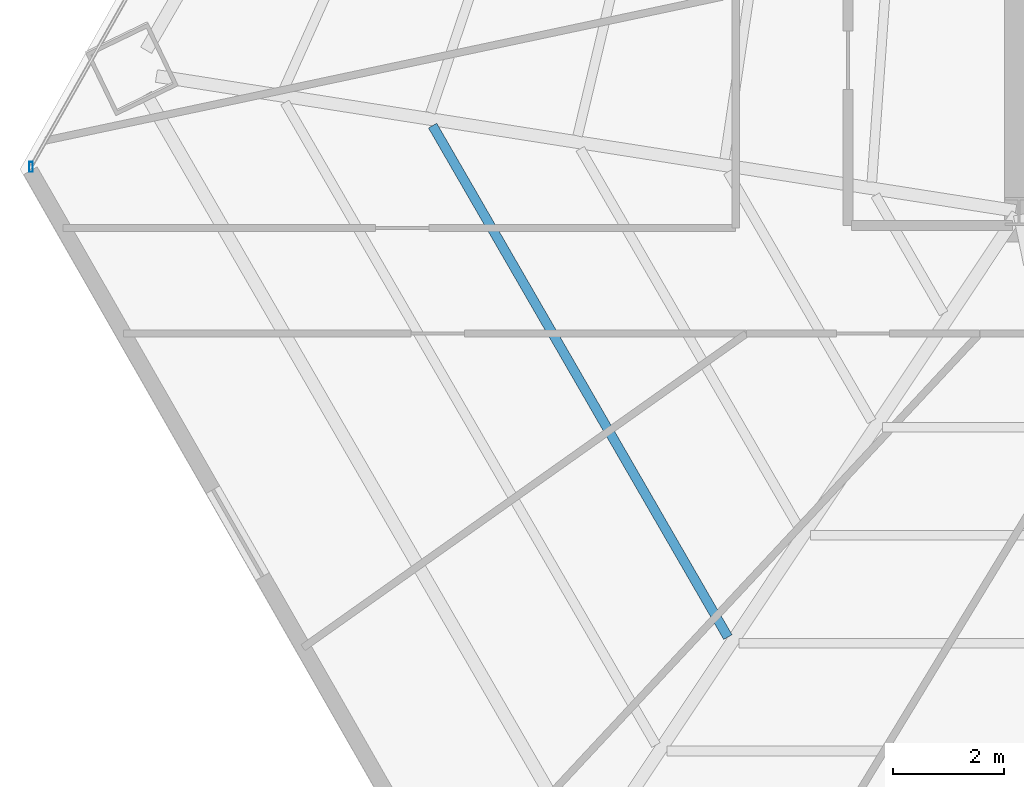
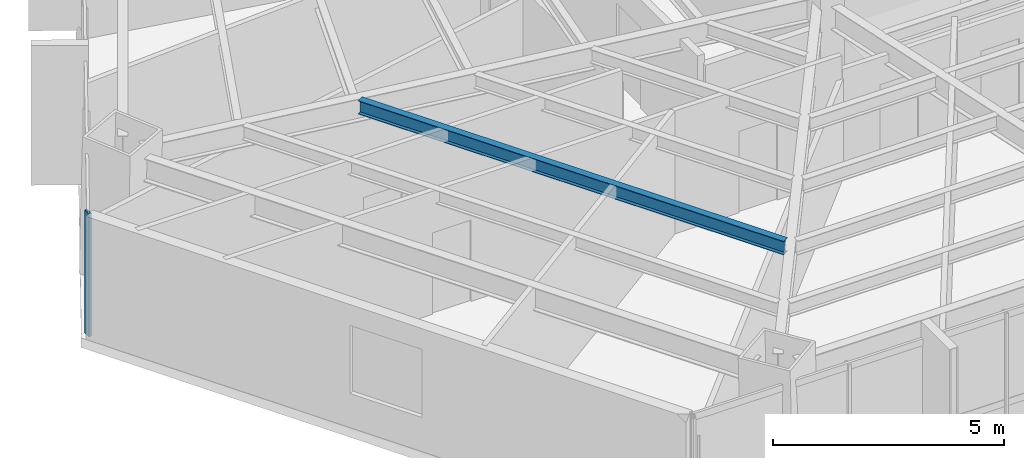
# One storey, part 6 of 39: 1 beam, 1 member, 1 element without a shape of its own.
"""IFC4 building model written with IfcOpenShell, lengths in metres."""

from ifc_helpers import new_model, si_unit, direction, frame, origin, origin_2d, place, context, subcontext, project, spatial, hollow_rectangle, i_section, extrude, source, transform, mapped, material, material_profile, profile_set, type_object, type_shapes, element, aggregate, save


model = new_model("IFC4")

# Units and contexts
model_context = context("Model", 3, precision=1e-05, world=origin(), true_north=direction((0.0, 1.0)))
body_context = subcontext(model_context, "Body", "Model", "MODEL_VIEW")
ifc_project = project(units=[si_unit("LENGTHUNIT", "METRE"), si_unit("AREAUNIT", "SQUARE_METRE"), si_unit("VOLUMEUNIT", "CUBIC_METRE"), si_unit("PLANEANGLEUNIT", "RADIAN"), si_unit("MASSUNIT", "GRAM", prefix="KILO")], contexts=[model_context])

# Site, building, storey
site_placement = place(None, origin())
site = spatial("IfcSite", under=ifc_project, at=site_placement, CompositionType="ELEMENT")
building_placement = place(site_placement, origin())
building = spatial("IfcBuilding", under=site, at=building_placement, Name="Caelisora Broadcast Tower", CompositionType="ELEMENT")
storey_placement = place(building_placement, frame((0.0, 0.0, 71.39990234375)))
storey = spatial("IfcBuildingStorey", under=building, at=storey_placement, Name="L18", CompositionType="ELEMENT", Elevation=71.39990234375)

# Beam
ifc_material_1 = material(Name="Steel Grade 350 (AS/NZS 3679.1)", Category="steel")
ifc_material_profile_1 = material_profile(ifc_material_1, i_section(OverallWidth=0.172119140625, OverallDepth=0.358642578125, WebThickness=0.008056640625, FlangeThickness=0.012939453125, at=origin_2d()), Name="Steel Grade 350 (AS/NZS 3679.1)")
ifc_profile_set_1 = profile_set([ifc_material_profile_1], Name="Steel Grade 350 (AS/NZS 3679.1)")
beam_type = type_object("IfcBeamType", Name="SB02", PredefinedType="JOIST", material=ifc_profile_set_1)
shared_shape_1 = source(origin(), body_context, "Body", "SweptSolid", [
    extrude(i_section(OverallWidth=0.172119140625, OverallDepth=0.358642578125, WebThickness=0.008056640625, FlangeThickness=0.012939453125, at=origin_2d()), origin(), (0.0, 0.0, 1.0), 10.636474609375),
])
type_shapes(beam_type, [shared_shape_1])
beam_placement = place(storey_placement, frame((19.938720703125, 18.945556640625, 3.07080078125), z_axis=(0.500009887181, -0.866019695343, 0.0), x_axis=(0.866019695343, 0.500009887181, 0.0)))
element("IfcBeam", 1, at=beam_placement, inside=storey, type_object=beam_type, Name="L18 beam SB02", PredefinedType="JOIST", context=body_context, shape_type="MappedRepresentation", body=[
    mapped(shared_shape_1, transform((0.0, 0.0, 0.0), scale=1.0)),
])

# Curtain wall, member
ifc_material_2 = material(Name="Unitised Aluminium and Low-E Glass Curtain Wall", Category="glass")
curtain_wall_type = type_object("IfcCurtainWallType", Name="CW-Z1", PredefinedType="NOTDEFINED", material=ifc_material_2)
curtain_wall_placement = place(storey_placement, origin())
curtain_wall = element("IfcCurtainWall", 2, at=curtain_wall_placement, inside=storey, type_object=curtain_wall_type, Name="L18 curtain wall CW-Z1", PredefinedType="NOTDEFINED")
ifc_material_3 = material(Name="Aluminium 6063-T6 Anodised Terracotta Bronze", Category="aluminium")
ifc_material_profile_2 = material_profile(ifc_material_3, hollow_rectangle(XDim=0.06494140625, YDim=0.179931640625, WallThickness=0.00341796875, at=origin_2d()), Name="Aluminium 6063-T6 Anodised Terracotta Bronze")
ifc_profile_set_2 = profile_set([ifc_material_profile_2], Name="Aluminium 6063-T6 Anodised Terracotta Bronze")
member_type = type_object("IfcMemberType", Name="CWM-02", PredefinedType="MULLION", material=ifc_profile_set_2)
shared_shape_2 = source(origin(), body_context, "Body", "SweptSolid", [
    extrude(hollow_rectangle(XDim=0.06494140625, YDim=0.179931640625, WallThickness=0.00341796875, at=origin_2d()), origin(), (0.0, 0.0, 1.0), 3.25),
])
type_shapes(member_type, [shared_shape_2])
member_placement = place(storey_placement, frame((12.70556640625, 18.202392578125, 0.0), z_axis=(0.0, 0.0, 1.0), x_axis=(1.0, 0.0, 0.0)))
member = element("IfcMember", 3, at=member_placement, type_object=member_type, Name="L18-CW-B09 mullion #0", PredefinedType="MULLION", context=body_context, shape_type="MappedRepresentation", body=[
    mapped(shared_shape_2, transform((0.0, 0.0, 0.0), scale=1.0)),
])
aggregate(curtain_wall, [member])

save(model, "model.ifc")
